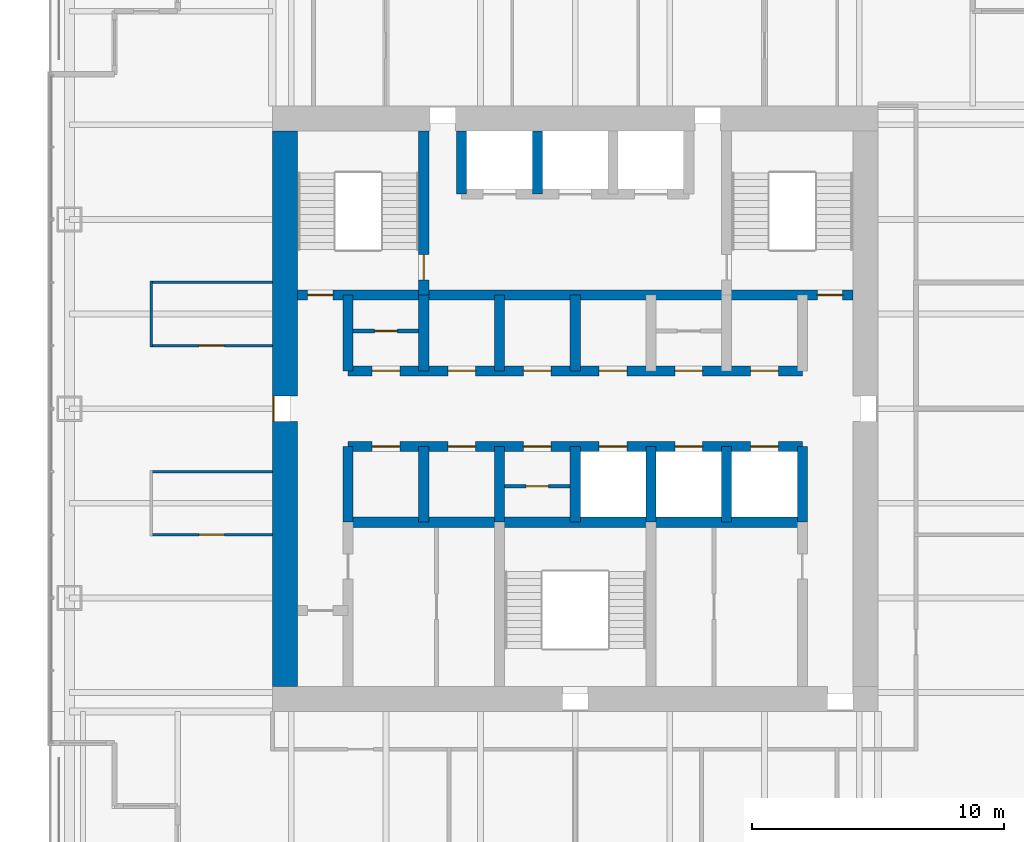
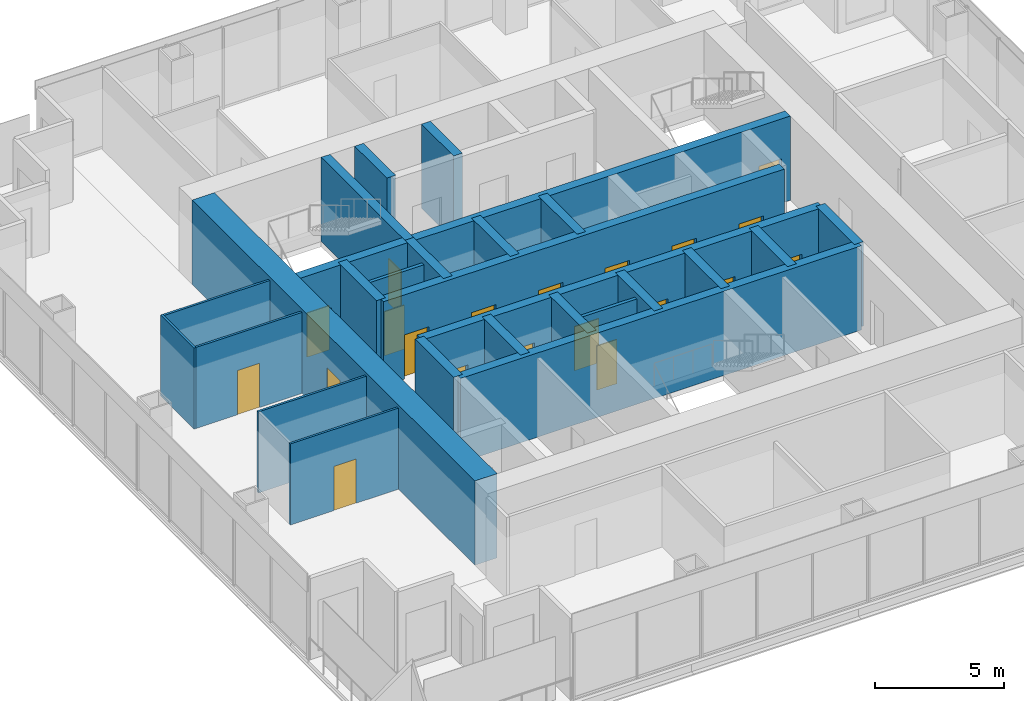
# One storey, part 10 of 14: 26 walls, 20 doors, 20 openings.
"""IFC4 building model written with IfcOpenShell, lengths in metres."""

from ifc_helpers import new_model, si_unit, direction, frame, frame_2d, origin, place, context, subcontext, project, spatial, rectangle, extrude, material, layer, layer_set, type_object, element, fill, save


model = new_model("IFC4")

# Units and contexts
model_context = context("Model", 3, precision=1e-05, world=origin(), true_north=direction((0.0, 1.0)))
body_context = subcontext(model_context, "Body", "Model", "MODEL_VIEW")
ifc_project = project(units=[si_unit("LENGTHUNIT", "METRE"), si_unit("AREAUNIT", "SQUARE_METRE"), si_unit("VOLUMEUNIT", "CUBIC_METRE"), si_unit("PLANEANGLEUNIT", "RADIAN"), si_unit("MASSUNIT", "GRAM", prefix="KILO")], contexts=[model_context])

# Site, building, storey
site_placement = place(None, origin())
site = spatial("IfcSite", under=ifc_project, at=site_placement, CompositionType="ELEMENT")
building_placement = place(site_placement, origin())
building = spatial("IfcBuilding", under=site, at=building_placement, Name="Tarangal Relay Tower", CompositionType="ELEMENT")
storey_placement = place(building_placement, frame((0.0, 0.0, 291.89990234375)))
storey = spatial("IfcBuildingStorey", under=building, at=storey_placement, Name="L64", CompositionType="ELEMENT", Elevation=291.89990234375)

# Wall, openings, doors
ifc_material_1 = material(Name="Concrete fc' 60 MPa", Category="concrete")
ifc_layer_1 = layer(ifc_material_1, 0.39990234375)
ifc_layer_set_1 = layer_set([ifc_layer_1], Name="Core inner wall 400")
wall_type_1 = type_object("IfcWallType", Name="Core inner wall 400", PredefinedType="SHEAR", material=ifc_layer_set_1)
wall_1_placement = place(storey_placement, frame((-11.0, 4.5, 0.0), z_axis=(0.0, 0.0, 1.0), x_axis=(1.0, 0.0, 0.0)))
wall_1 = element("IfcWall", 1, at=wall_1_placement, inside=storey, type_object=wall_type_1, Name="Core wall Y45 L64", PredefinedType="SHEAR", context=body_context, shape_type="SweptSolid", body=[
    extrude(rectangle(XDim=22.0, YDim=0.39990234375, at=frame_2d((11.0, 0.0))), origin(), (0.0, 0.0, 1.0), 4.0),
])
opening_1_placement = place(wall_1_placement, frame((0.39990234375, 0.0, 0.0)))
opening_1 = element("IfcOpeningElement", 2, at=opening_1_placement, cuts=wall_1, Name="Opening FD1", PredefinedType="OPENING", context=body_context, shape_type="SweptSolid", body=[
    extrude(rectangle(XDim=1.0, YDim=2.10009765625, at=frame_2d((0.5, 1.050048828125))), frame((0.0, 0.2099609375, 0.0), z_axis=(0.0, -1.0, 0.0), x_axis=(1.0, 0.0, 0.0)), (0.0, 0.0, 1.0), 0.419921875),
])
opening_2_placement = place(wall_1_placement, frame((20.60009765625, 0.0, 0.0)))
opening_2 = element("IfcOpeningElement", 3, at=opening_2_placement, cuts=wall_1, Name="Opening FD1", PredefinedType="OPENING", context=body_context, shape_type="SweptSolid", body=[
    extrude(rectangle(XDim=1.0, YDim=2.10009765625, at=frame_2d((0.5, 1.050048828125))), frame((0.0, 0.2099609375, 0.0), z_axis=(0.0, -1.0, 0.0), x_axis=(1.0, 0.0, 0.0)), (0.0, 0.0, 1.0), 0.419921875),
])
ifc_material_2 = material(Name="Steel door with hardwood frame", Category="steel")
door_type_1 = type_object("IfcDoorType", Name="Fire door 1000 x 2100", OperationType="SINGLE_SWING_LEFT", PredefinedType="DOOR", material=ifc_material_2)
door_1_placement = place(opening_1_placement, origin())
door_1 = element("IfcDoor", 4, at=door_1_placement, inside=storey, type_object=door_type_1, Name="Stair ST-A door from corridor L64", OperationType="SINGLE_SWING_LEFT", OverallHeight=2.10009765625, OverallWidth=1.0, PredefinedType="DOOR", context=body_context, shape_type="SweptSolid", body=[
    extrude(rectangle(XDim=1.0, YDim=2.10009765625, at=frame_2d((0.5, 1.050048828125))), frame((0.0, 0.02490234375, 0.0), z_axis=(0.0, -1.0, 0.0), x_axis=(1.0, 0.0, 0.0)), (0.0, 0.0, 1.0), 0.050048828125),
])
fill(opening_1, door_1)
door_2_placement = place(opening_2_placement, origin())
door_2 = element("IfcDoor", 5, at=door_2_placement, inside=storey, type_object=door_type_1, Name="Stair ST-B door from corridor L64", OperationType="SINGLE_SWING_LEFT", OverallHeight=2.10009765625, OverallWidth=1.0, PredefinedType="DOOR", context=body_context, shape_type="SweptSolid", body=[
    extrude(rectangle(XDim=1.0, YDim=2.10009765625, at=frame_2d((0.5, 1.050048828125))), frame((0.0, 0.02490234375, 0.0), z_axis=(0.0, -1.0, 0.0), x_axis=(1.0, 0.0, 0.0)), (0.0, 0.0, 1.0), 0.050048828125),
])
fill(opening_2, door_2)

wall_2_placement = place(storey_placement, frame((-9.0, 1.5, 0.0), z_axis=(0.0, 0.0, 1.0), x_axis=(1.0, 0.0, 0.0)))
wall_2 = element("IfcWall", 6, at=wall_2_placement, inside=storey, type_object=wall_type_1, Name="Core wall Y15 L64", PredefinedType="SHEAR", context=body_context, shape_type="SweptSolid", body=[
    extrude(rectangle(XDim=18.0, YDim=0.39990234375, at=frame_2d((9.0, 0.0))), origin(), (0.0, 0.0, 1.0), 4.0),
])
opening_3_placement = place(wall_2_placement, frame((0.949951171875, 0.0, 0.0)))
opening_3 = element("IfcOpeningElement", 7, at=opening_3_placement, cuts=wall_2, Name="Opening D4", PredefinedType="OPENING", context=body_context, shape_type="SweptSolid", body=[
    extrude(rectangle(XDim=1.10009765625, YDim=2.10009765625, at=frame_2d((0.550048828125, 1.050048828125))), frame((0.0, 0.2099609375, 0.0), z_axis=(0.0, -1.0, 0.0), x_axis=(1.0, 0.0, 0.0)), (0.0, 0.0, 1.0), 0.419921875),
])
opening_4_placement = place(wall_2_placement, frame((3.949951171875, 0.0, 0.0)))
opening_4 = element("IfcOpeningElement", 8, at=opening_4_placement, cuts=wall_2, Name="Opening D4", PredefinedType="OPENING", context=body_context, shape_type="SweptSolid", body=[
    extrude(rectangle(XDim=1.10009765625, YDim=2.10009765625, at=frame_2d((0.550048828125, 1.050048828125))), frame((0.0, 0.2099609375, 0.0), z_axis=(0.0, -1.0, 0.0), x_axis=(1.0, 0.0, 0.0)), (0.0, 0.0, 1.0), 0.419921875),
])
opening_5_placement = place(wall_2_placement, frame((6.949951171875, 0.0, 0.0)))
opening_5 = element("IfcOpeningElement", 9, at=opening_5_placement, cuts=wall_2, Name="Opening D4", PredefinedType="OPENING", context=body_context, shape_type="SweptSolid", body=[
    extrude(rectangle(XDim=1.10009765625, YDim=2.10009765625, at=frame_2d((0.550048828125, 1.050048828125))), frame((0.0, 0.2099609375, 0.0), z_axis=(0.0, -1.0, 0.0), x_axis=(1.0, 0.0, 0.0)), (0.0, 0.0, 1.0), 0.419921875),
])
opening_6_placement = place(wall_2_placement, frame((9.949951171875, 0.0, 0.0)))
opening_6 = element("IfcOpeningElement", 10, at=opening_6_placement, cuts=wall_2, Name="Opening D4", PredefinedType="OPENING", context=body_context, shape_type="SweptSolid", body=[
    extrude(rectangle(XDim=1.10009765625, YDim=2.10009765625, at=frame_2d((0.550048828125, 1.050048828125))), frame((0.0, 0.2099609375, 0.0), z_axis=(0.0, -1.0, 0.0), x_axis=(1.0, 0.0, 0.0)), (0.0, 0.0, 1.0), 0.419921875),
])
opening_7_placement = place(wall_2_placement, frame((12.949951171875, 0.0, 0.0)))
opening_7 = element("IfcOpeningElement", 11, at=opening_7_placement, cuts=wall_2, Name="Opening D4", PredefinedType="OPENING", context=body_context, shape_type="SweptSolid", body=[
    extrude(rectangle(XDim=1.10009765625, YDim=2.10009765625, at=frame_2d((0.550048828125, 1.050048828125))), frame((0.0, 0.2099609375, 0.0), z_axis=(0.0, -1.0, 0.0), x_axis=(1.0, 0.0, 0.0)), (0.0, 0.0, 1.0), 0.419921875),
])
opening_8_placement = place(wall_2_placement, frame((15.949951171875, 0.0, 0.0)))
opening_8 = element("IfcOpeningElement", 12, at=opening_8_placement, cuts=wall_2, Name="Opening D4", PredefinedType="OPENING", context=body_context, shape_type="SweptSolid", body=[
    extrude(rectangle(XDim=1.10009765625, YDim=2.10009765625, at=frame_2d((0.550048828125, 1.050048828125))), frame((0.0, 0.2099609375, 0.0), z_axis=(0.0, -1.0, 0.0), x_axis=(1.0, 0.0, 0.0)), (0.0, 0.0, 1.0), 0.419921875),
])
door_type_2 = type_object("IfcDoorType", Name="Core room door 1100 x 2100", OperationType="SINGLE_SWING_RIGHT", PredefinedType="DOOR", material=ifc_material_2)
door_3_placement = place(opening_3_placement, origin())
door_3 = element("IfcDoor", 13, at=door_3_placement, inside=storey, type_object=door_type_2, Name="Door D4 to staff pantry L64-D1", OperationType="SINGLE_SWING_RIGHT", OverallHeight=2.10009765625, OverallWidth=1.10009765625, PredefinedType="DOOR", context=body_context, shape_type="SweptSolid", body=[
    extrude(rectangle(XDim=1.10009765625, YDim=2.10009765625, at=frame_2d((0.550048828125, 1.050048828125))), frame((0.0, 0.02490234375, 0.0), z_axis=(0.0, -1.0, 0.0), x_axis=(1.0, 0.0, 0.0)), (0.0, 0.0, 1.0), 0.050048828125),
])
fill(opening_3, door_3)
door_4_placement = place(opening_4_placement, origin())
door_4 = element("IfcDoor", 14, at=door_4_placement, inside=storey, type_object=door_type_2, Name="Door D4 to it room L64-D2", OperationType="SINGLE_SWING_RIGHT", OverallHeight=2.10009765625, OverallWidth=1.10009765625, PredefinedType="DOOR", context=body_context, shape_type="SweptSolid", body=[
    extrude(rectangle(XDim=1.10009765625, YDim=2.10009765625, at=frame_2d((0.550048828125, 1.050048828125))), frame((0.0, 0.02490234375, 0.0), z_axis=(0.0, -1.0, 0.0), x_axis=(1.0, 0.0, 0.0)), (0.0, 0.0, 1.0), 0.050048828125),
])
fill(opening_4, door_4)
door_5_placement = place(opening_5_placement, origin())
door_5 = element("IfcDoor", 15, at=door_5_placement, inside=storey, type_object=door_type_2, Name="Door D4 to cleaner's store L64-D3", OperationType="SINGLE_SWING_RIGHT", OverallHeight=2.10009765625, OverallWidth=1.10009765625, PredefinedType="DOOR", context=body_context, shape_type="SweptSolid", body=[
    extrude(rectangle(XDim=1.10009765625, YDim=2.10009765625, at=frame_2d((0.550048828125, 1.050048828125))), frame((0.0, 0.02490234375, 0.0), z_axis=(0.0, -1.0, 0.0), x_axis=(1.0, 0.0, 0.0)), (0.0, 0.0, 1.0), 0.050048828125),
])
fill(opening_5, door_5)
door_6_placement = place(opening_6_placement, origin())
door_6 = element("IfcDoor", 16, at=door_6_placement, inside=storey, type_object=door_type_2, Name="Door D4 to staff wc L64-T1", OperationType="SINGLE_SWING_RIGHT", OverallHeight=2.10009765625, OverallWidth=1.10009765625, PredefinedType="DOOR", context=body_context, shape_type="SweptSolid", body=[
    extrude(rectangle(XDim=1.10009765625, YDim=2.10009765625, at=frame_2d((0.550048828125, 1.050048828125))), frame((0.0, 0.02490234375, 0.0), z_axis=(0.0, -1.0, 0.0), x_axis=(1.0, 0.0, 0.0)), (0.0, 0.0, 1.0), 0.050048828125),
])
fill(opening_6, door_6)
door_7_placement = place(opening_7_placement, origin())
door_7 = element("IfcDoor", 17, at=door_7_placement, inside=storey, type_object=door_type_2, Name="Door D4 to staff pantry L64-T2", OperationType="SINGLE_SWING_RIGHT", OverallHeight=2.10009765625, OverallWidth=1.10009765625, PredefinedType="DOOR", context=body_context, shape_type="SweptSolid", body=[
    extrude(rectangle(XDim=1.10009765625, YDim=2.10009765625, at=frame_2d((0.550048828125, 1.050048828125))), frame((0.0, 0.02490234375, 0.0), z_axis=(0.0, -1.0, 0.0), x_axis=(1.0, 0.0, 0.0)), (0.0, 0.0, 1.0), 0.050048828125),
])
fill(opening_7, door_7)
door_8_placement = place(opening_8_placement, origin())
door_8 = element("IfcDoor", 18, at=door_8_placement, inside=storey, type_object=door_type_2, Name="Door D4 to it room L64-T3", OperationType="SINGLE_SWING_RIGHT", OverallHeight=2.10009765625, OverallWidth=1.10009765625, PredefinedType="DOOR", context=body_context, shape_type="SweptSolid", body=[
    extrude(rectangle(XDim=1.10009765625, YDim=2.10009765625, at=frame_2d((0.550048828125, 1.050048828125))), frame((0.0, 0.02490234375, 0.0), z_axis=(0.0, -1.0, 0.0), x_axis=(1.0, 0.0, 0.0)), (0.0, 0.0, 1.0), 0.050048828125),
])
fill(opening_8, door_8)

wall_3_placement = place(storey_placement, frame((-9.0, -1.5, 0.0), z_axis=(0.0, 0.0, 1.0), x_axis=(1.0, 0.0, 0.0)))
wall_3 = element("IfcWall", 19, at=wall_3_placement, inside=storey, type_object=wall_type_1, Name="Core wall YM15 L64", PredefinedType="SHEAR", context=body_context, shape_type="SweptSolid", body=[
    extrude(rectangle(XDim=18.0, YDim=0.39990234375, at=frame_2d((9.0, 0.0))), origin(), (0.0, 0.0, 1.0), 4.0),
])
opening_9_placement = place(wall_3_placement, frame((9.949951171875, 0.0, 0.0)))
opening_9 = element("IfcOpeningElement", 20, at=opening_9_placement, cuts=wall_3, Name="Opening LD1", PredefinedType="OPENING", context=body_context, shape_type="SweptSolid", body=[
    extrude(rectangle(XDim=1.10009765625, YDim=2.10009765625, at=frame_2d((0.550048828125, 1.050048828125))), frame((0.0, 0.2099609375, 0.0), z_axis=(0.0, -1.0, 0.0), x_axis=(1.0, 0.0, 0.0)), (0.0, 0.0, 1.0), 0.419921875),
])
opening_10_placement = place(wall_3_placement, frame((12.949951171875, 0.0, 0.0)))
opening_10 = element("IfcOpeningElement", 21, at=opening_10_placement, cuts=wall_3, Name="Opening LD1", PredefinedType="OPENING", context=body_context, shape_type="SweptSolid", body=[
    extrude(rectangle(XDim=1.10009765625, YDim=2.10009765625, at=frame_2d((0.550048828125, 1.050048828125))), frame((0.0, 0.2099609375, 0.0), z_axis=(0.0, -1.0, 0.0), x_axis=(1.0, 0.0, 0.0)), (0.0, 0.0, 1.0), 0.419921875),
])
opening_11_placement = place(wall_3_placement, frame((15.949951171875, 0.0, 0.0)))
opening_11 = element("IfcOpeningElement", 22, at=opening_11_placement, cuts=wall_3, Name="Opening LD1", PredefinedType="OPENING", context=body_context, shape_type="SweptSolid", body=[
    extrude(rectangle(XDim=1.10009765625, YDim=2.10009765625, at=frame_2d((0.550048828125, 1.050048828125))), frame((0.0, 0.2099609375, 0.0), z_axis=(0.0, -1.0, 0.0), x_axis=(1.0, 0.0, 0.0)), (0.0, 0.0, 1.0), 0.419921875),
])
opening_12_placement = place(wall_3_placement, frame((0.949951171875, 0.0, 0.0)))
opening_12 = element("IfcOpeningElement", 23, at=opening_12_placement, cuts=wall_3, Name="Opening D4", PredefinedType="OPENING", context=body_context, shape_type="SweptSolid", body=[
    extrude(rectangle(XDim=1.10009765625, YDim=2.10009765625, at=frame_2d((0.550048828125, 1.050048828125))), frame((0.0, 0.2099609375, 0.0), z_axis=(0.0, -1.0, 0.0), x_axis=(1.0, 0.0, 0.0)), (0.0, 0.0, 1.0), 0.419921875),
])
opening_13_placement = place(wall_3_placement, frame((3.949951171875, 0.0, 0.0)))
opening_13 = element("IfcOpeningElement", 24, at=opening_13_placement, cuts=wall_3, Name="Opening D4", PredefinedType="OPENING", context=body_context, shape_type="SweptSolid", body=[
    extrude(rectangle(XDim=1.10009765625, YDim=2.10009765625, at=frame_2d((0.550048828125, 1.050048828125))), frame((0.0, 0.2099609375, 0.0), z_axis=(0.0, -1.0, 0.0), x_axis=(1.0, 0.0, 0.0)), (0.0, 0.0, 1.0), 0.419921875),
])
opening_14_placement = place(wall_3_placement, frame((6.949951171875, 0.0, 0.0)))
opening_14 = element("IfcOpeningElement", 25, at=opening_14_placement, cuts=wall_3, Name="Opening D4", PredefinedType="OPENING", context=body_context, shape_type="SweptSolid", body=[
    extrude(rectangle(XDim=1.10009765625, YDim=2.10009765625, at=frame_2d((0.550048828125, 1.050048828125))), frame((0.0, 0.2099609375, 0.0), z_axis=(0.0, -1.0, 0.0), x_axis=(1.0, 0.0, 0.0)), (0.0, 0.0, 1.0), 0.419921875),
])
door_9_placement = place(opening_12_placement, origin())
door_9 = element("IfcDoor", 26, at=door_9_placement, inside=storey, type_object=door_type_2, Name="Door D4 to cleaner's store L64-S1", OperationType="SINGLE_SWING_RIGHT", OverallHeight=2.10009765625, OverallWidth=1.10009765625, PredefinedType="DOOR", context=body_context, shape_type="SweptSolid", body=[
    extrude(rectangle(XDim=1.10009765625, YDim=2.10009765625, at=frame_2d((0.550048828125, 1.050048828125))), frame((0.0, 0.02490234375, 0.0), z_axis=(0.0, -1.0, 0.0), x_axis=(1.0, 0.0, 0.0)), (0.0, 0.0, 1.0), 0.050048828125),
])
fill(opening_12, door_9)
door_10_placement = place(opening_13_placement, origin())
door_10 = element("IfcDoor", 27, at=door_10_placement, inside=storey, type_object=door_type_2, Name="Door D4 to staff wc L64-S2", OperationType="SINGLE_SWING_RIGHT", OverallHeight=2.10009765625, OverallWidth=1.10009765625, PredefinedType="DOOR", context=body_context, shape_type="SweptSolid", body=[
    extrude(rectangle(XDim=1.10009765625, YDim=2.10009765625, at=frame_2d((0.550048828125, 1.050048828125))), frame((0.0, 0.02490234375, 0.0), z_axis=(0.0, -1.0, 0.0), x_axis=(1.0, 0.0, 0.0)), (0.0, 0.0, 1.0), 0.050048828125),
])
fill(opening_13, door_10)
door_11_placement = place(opening_14_placement, origin())
door_11 = element("IfcDoor", 28, at=door_11_placement, inside=storey, type_object=door_type_2, Name="Door D4 to staff pantry L64-S3", OperationType="SINGLE_SWING_RIGHT", OverallHeight=2.10009765625, OverallWidth=1.10009765625, PredefinedType="DOOR", context=body_context, shape_type="SweptSolid", body=[
    extrude(rectangle(XDim=1.10009765625, YDim=2.10009765625, at=frame_2d((0.550048828125, 1.050048828125))), frame((0.0, 0.02490234375, 0.0), z_axis=(0.0, -1.0, 0.0), x_axis=(1.0, 0.0, 0.0)), (0.0, 0.0, 1.0), 0.050048828125),
])
fill(opening_14, door_11)
door_type_3 = type_object("IfcDoorType", Name="Lift landing door 1100 x 2100", OperationType="SLIDING_TO_LEFT", PredefinedType="DOOR", material=ifc_material_2)
door_12_placement = place(opening_9_placement, origin())
door_12 = element("IfcDoor", 29, at=door_12_placement, inside=storey, type_object=door_type_3, Name="Lift OH1 landing door L64", OperationType="SLIDING_TO_LEFT", OverallHeight=2.10009765625, OverallWidth=1.10009765625, PredefinedType="DOOR", context=body_context, shape_type="SweptSolid", body=[
    extrude(rectangle(XDim=1.10009765625, YDim=2.10009765625, at=frame_2d((0.550048828125, 1.050048828125))), frame((0.0, 0.02490234375, 0.0), z_axis=(0.0, -1.0, 0.0), x_axis=(1.0, 0.0, 0.0)), (0.0, 0.0, 1.0), 0.050048828125),
])
fill(opening_9, door_12)
door_13_placement = place(opening_10_placement, origin())
door_13 = element("IfcDoor", 30, at=door_13_placement, inside=storey, type_object=door_type_3, Name="Lift OH2 landing door L64", OperationType="SLIDING_TO_LEFT", OverallHeight=2.10009765625, OverallWidth=1.10009765625, PredefinedType="DOOR", context=body_context, shape_type="SweptSolid", body=[
    extrude(rectangle(XDim=1.10009765625, YDim=2.10009765625, at=frame_2d((0.550048828125, 1.050048828125))), frame((0.0, 0.02490234375, 0.0), z_axis=(0.0, -1.0, 0.0), x_axis=(1.0, 0.0, 0.0)), (0.0, 0.0, 1.0), 0.050048828125),
])
fill(opening_10, door_13)
door_14_placement = place(opening_11_placement, origin())
door_14 = element("IfcDoor", 31, at=door_14_placement, inside=storey, type_object=door_type_3, Name="Lift OH3 landing door L64", OperationType="SLIDING_TO_LEFT", OverallHeight=2.10009765625, OverallWidth=1.10009765625, PredefinedType="DOOR", context=body_context, shape_type="SweptSolid", body=[
    extrude(rectangle(XDim=1.10009765625, YDim=2.10009765625, at=frame_2d((0.550048828125, 1.050048828125))), frame((0.0, 0.02490234375, 0.0), z_axis=(0.0, -1.0, 0.0), x_axis=(1.0, 0.0, 0.0)), (0.0, 0.0, 1.0), 0.050048828125),
])
fill(opening_11, door_14)

# Walls
wall_4_placement = place(storey_placement, frame((-9.0, -4.5, 0.0), z_axis=(0.0, 0.0, 1.0), x_axis=(1.0, 0.0, 0.0)))
element("IfcWall", 32, at=wall_4_placement, inside=storey, type_object=wall_type_1, Name="Core wall YM45 L64", PredefinedType="SHEAR", context=body_context, shape_type="SweptSolid", body=[
    extrude(rectangle(XDim=18.0, YDim=0.39990234375, at=frame_2d((9.0, 0.0))), origin(), (0.0, 0.0, 1.0), 4.0),
])
for number, where, z_axis, x_axis, name in (
    (33, (-9.0, 1.5, 0.0), (0.0, 0.0, 1.0), (0.0, 1.0, 0.0), "Core wall XM9N L64"),
    (34, (-9.0, -4.5, 0.0), (0.0, 0.0, 1.0), (0.0, 1.0, 0.0), "Core wall XM9S L64"),
    (35, (9.0, -4.5, 0.0), (0.0, 0.0, 1.0), (0.0, 1.0, 0.0), "Core wall X9S L64"),
    (36, (-6.0, 1.5, 0.0), (0.0, 0.0, 1.0), (0.0, 1.0, 0.0), "Core wall XM6N L64"),
    (37, (-3.0, 1.5, 0.0), (0.0, 0.0, 1.0), (0.0, 1.0, 0.0), "Core wall XM3N L64"),
    (38, (0.0, 1.5, 0.0), (0.0, 0.0, 1.0), (0.0, 1.0, 0.0), "Core wall X0N L64"),
    (39, (-6.0, -4.5, 0.0), (0.0, 0.0, 1.0), (0.0, 1.0, 0.0), "Core wall XM6S L64"),
    (40, (-3.0, -4.5, 0.0), (0.0, 0.0, 1.0), (0.0, 1.0, 0.0), "Core wall XM3S L64"),
    (41, (0.0, -4.5, 0.0), (0.0, 0.0, 1.0), (0.0, 1.0, 0.0), "Core wall X0S L64"),
    (42, (3.0, -4.5, 0.0), (0.0, 0.0, 1.0), (0.0, 1.0, 0.0), "Core wall X3S L64"),
    (43, (6.0, -4.5, 0.0), (0.0, 0.0, 1.0), (0.0, 1.0, 0.0), "Core wall X6S L64"),
):
    element("IfcWall", number, at=place(storey_placement, frame(where, z_axis=z_axis, x_axis=x_axis)), inside=storey, type_object=wall_type_1, Name=name, PredefinedType="SHEAR", context=body_context, shape_type="SweptSolid", body=[
        extrude(rectangle(XDim=3.0, YDim=0.39990234375, at=frame_2d((1.5, 0.0))), origin(), (0.0, 0.0, 1.0), 4.0),
    ])

# Wall, opening, door
wall_5_placement = place(storey_placement, frame((-6.0, 4.5, 0.0), z_axis=(0.0, 0.0, 1.0), x_axis=(0.0, 1.0, 0.0)))
wall_5 = element("IfcWall", 44, at=wall_5_placement, inside=storey, type_object=wall_type_1, Name="Core wall XM6 L64", PredefinedType="SHEAR", context=body_context, shape_type="SweptSolid", body=[
    extrude(rectangle(XDim=6.5, YDim=0.39990234375, at=frame_2d((3.25, 0.0))), origin(), (0.0, 0.0, 1.0), 4.0),
])
opening_15_placement = place(wall_5_placement, frame((0.60009765625, 0.0, 0.0)))
opening_15 = element("IfcOpeningElement", 45, at=opening_15_placement, cuts=wall_5, Name="Opening FD1", PredefinedType="OPENING", context=body_context, shape_type="SweptSolid", body=[
    extrude(rectangle(XDim=1.0, YDim=2.10009765625, at=frame_2d((0.5, 1.050048828125))), frame((0.0, 0.2099609375, 0.0), z_axis=(0.0, -1.0, 0.0), x_axis=(1.0, 0.0, 0.0)), (0.0, 0.0, 1.0), 0.419921875),
])
door_15_placement = place(opening_15_placement, origin())
door_15 = element("IfcDoor", 46, at=door_15_placement, inside=storey, type_object=door_type_1, Name="Stair ST-A door from fire-fighting lobby L64", OperationType="SINGLE_SWING_LEFT", OverallHeight=2.10009765625, OverallWidth=1.0, PredefinedType="DOOR", context=body_context, shape_type="SweptSolid", body=[
    extrude(rectangle(XDim=1.0, YDim=2.10009765625, at=frame_2d((0.5, 1.050048828125))), frame((0.0, 0.02490234375, 0.0), z_axis=(0.0, -1.0, 0.0), x_axis=(1.0, 0.0, 0.0)), (0.0, 0.0, 1.0), 0.050048828125),
])
fill(opening_15, door_15)

# Walls
for number, where, z_axis, x_axis, name in (
    (47, (-4.5, 8.5, 0.0), (0.0, 0.0, 1.0), (0.0, 1.0, 0.0), "Core wall XM45 L64"),
    (48, (-1.5, 8.5, 0.0), (0.0, 0.0, 1.0), (0.0, 1.0, 0.0), "Core wall XM15 L64"),
):
    element("IfcWall", number, at=place(storey_placement, frame(where, z_axis=z_axis, x_axis=x_axis)), inside=storey, type_object=wall_type_1, Name=name, PredefinedType="SHEAR", context=body_context, shape_type="SweptSolid", body=[
        extrude(rectangle(XDim=2.5, YDim=0.39990234375, at=frame_2d((1.25, 0.0))), origin(), (0.0, 0.0, 1.0), 4.0),
    ])

# Wall, opening, door
ifc_layer_2 = layer(ifc_material_1, 1.0)
ifc_layer_set_2 = layer_set([ifc_layer_2], Name="Core wall 1000")
wall_type_2 = type_object("IfcWallType", Name="Core wall 1000", PredefinedType="SHEAR", material=ifc_layer_set_2)
wall_6_placement = place(storey_placement, frame((-11.5, -11.0, 0.0), z_axis=(0.0, 0.0, 1.0), x_axis=(0.0, 1.0, 0.0)))
wall_6 = element("IfcWall", 49, at=wall_6_placement, inside=storey, type_object=wall_type_2, Name="Core wall W L64", PredefinedType="SHEAR", context=body_context, shape_type="SweptSolid", body=[
    extrude(rectangle(XDim=22.0, YDim=1.0, at=frame_2d((11.0, 0.0))), origin(), (0.0, 0.0, 1.0), 4.0),
])
opening_16_placement = place(wall_6_placement, frame((10.5, 0.0, 0.0)))
opening_16 = element("IfcOpeningElement", 50, at=opening_16_placement, cuts=wall_6, Name="Opening FD3", PredefinedType="OPENING", context=body_context, shape_type="SweptSolid", body=[
    extrude(rectangle(XDim=1.0, YDim=2.39990234375, at=frame_2d((0.5, 1.199951171875))), frame((0.0, 0.510009765625, 0.0), z_axis=(0.0, -1.0, 0.0), x_axis=(1.0, 0.0, 0.0)), (0.0, 0.0, 1.0), 1.02001953125),
])
door_type_4 = type_object("IfcDoorType", Name="Fire door 1000 x 2400 core entry", OperationType="SINGLE_SWING_RIGHT", PredefinedType="DOOR", material=ifc_material_2)
door_16_placement = place(opening_16_placement, origin())
door_16 = element("IfcDoor", 51, at=door_16_placement, inside=storey, type_object=door_type_4, Name="Core entry door west L64", OperationType="SINGLE_SWING_RIGHT", OverallHeight=2.39990234375, OverallWidth=1.0, PredefinedType="DOOR", context=body_context, shape_type="SweptSolid", body=[
    extrude(rectangle(XDim=1.0, YDim=2.39990234375, at=frame_2d((0.5, 1.199951171875))), frame((0.0, 0.48486328125, 0.0), z_axis=(0.0, -1.0, 0.0), x_axis=(1.0, 0.0, 0.0)), (0.0, 0.0, 1.0), 0.050048828125),
])
fill(opening_16, door_16)

ifc_material_3 = material(Name="Double glazed aluminium framed partition", Category="aluminium")
ifc_layer_3 = layer(ifc_material_3, 0.10009765625)
ifc_layer_set_3 = layer_set([ifc_layer_3], Name="Glazed partition 100")
wall_type_3 = type_object("IfcWallType", Name="Glazed partition 100", PredefinedType="PARTITIONING", material=ifc_layer_set_3)
wall_7_placement = place(storey_placement, frame((-16.85009765625, -5.0, 0.0), z_axis=(0.0, 0.0, 1.0), x_axis=(1.0, 0.0, 0.0)))
wall_7 = element("IfcWall", 52, at=wall_7_placement, inside=storey, type_object=wall_type_3, Name="Partition PT3 L64", PredefinedType="PARTITIONING", context=body_context, shape_type="SweptSolid", body=[
    extrude(rectangle(XDim=4.85009765625, YDim=0.10009765625, at=frame_2d((2.425048828125, 0.0))), origin(), (0.0, 0.0, 1.0), 3.85009765625),
])
opening_17_placement = place(wall_7_placement, frame((1.949951171875, 0.0, 0.0)))
opening_17 = element("IfcOpeningElement", 53, at=opening_17_placement, cuts=wall_7, Name="Opening D3", PredefinedType="OPENING", context=body_context, shape_type="SweptSolid", body=[
    extrude(rectangle(XDim=1.0, YDim=2.10009765625, at=frame_2d((0.5, 1.050048828125))), frame((0.0, 0.06005859375, 0.0), z_axis=(0.0, -1.0, 0.0), x_axis=(1.0, 0.0, 0.0)), (0.0, 0.0, 1.0), 0.1201171875),
])
ifc_material_4 = material(Name="Frameless glass door", Category="glass")
door_type_5 = type_object("IfcDoorType", Name="Glazed door 1000 x 2100", OperationType="SINGLE_SWING_LEFT", PredefinedType="DOOR", material=ifc_material_4)
door_17_placement = place(opening_17_placement, origin())
door_17 = element("IfcDoor", 54, at=door_17_placement, inside=storey, type_object=door_type_5, Name="Door D3 to project room L64-09", OperationType="SINGLE_SWING_LEFT", OverallHeight=2.10009765625, OverallWidth=1.0, PredefinedType="DOOR", context=body_context, shape_type="SweptSolid", body=[
    extrude(rectangle(XDim=1.0, YDim=2.10009765625, at=frame_2d((0.5, 1.050048828125))), frame((0.0, 0.02490234375, 0.0), z_axis=(0.0, -1.0, 0.0), x_axis=(1.0, 0.0, 0.0)), (0.0, 0.0, 1.0), 0.050048828125),
])
fill(opening_17, door_17)

# Wall
wall_8_placement = place(storey_placement, frame((-16.85009765625, -2.5, 0.0), z_axis=(0.0, 0.0, 1.0), x_axis=(1.0, 0.0, 0.0)))
element("IfcWall", 55, at=wall_8_placement, inside=storey, type_object=wall_type_3, Name="Partition PT3 L64", PredefinedType="PARTITIONING", context=body_context, shape_type="SweptSolid", body=[
    extrude(rectangle(XDim=4.85009765625, YDim=0.10009765625, at=frame_2d((2.425048828125, 0.0))), origin(), (0.0, 0.0, 1.0), 3.85009765625),
])

# Wall, opening, door
wall_9_placement = place(storey_placement, frame((-16.85009765625, 2.5, 0.0), z_axis=(0.0, 0.0, 1.0), x_axis=(1.0, 0.0, 0.0)))
wall_9 = element("IfcWall", 56, at=wall_9_placement, inside=storey, type_object=wall_type_3, Name="Partition PT3 L64", PredefinedType="PARTITIONING", context=body_context, shape_type="SweptSolid", body=[
    extrude(rectangle(XDim=4.85009765625, YDim=0.10009765625, at=frame_2d((2.425048828125, 0.0))), origin(), (0.0, 0.0, 1.0), 3.85009765625),
])
opening_18_placement = place(wall_9_placement, frame((1.949951171875, 0.0, 0.0)))
opening_18 = element("IfcOpeningElement", 57, at=opening_18_placement, cuts=wall_9, Name="Opening D3", PredefinedType="OPENING", context=body_context, shape_type="SweptSolid", body=[
    extrude(rectangle(XDim=1.0, YDim=2.10009765625, at=frame_2d((0.5, 1.050048828125))), frame((0.0, 0.06005859375, 0.0), z_axis=(0.0, -1.0, 0.0), x_axis=(1.0, 0.0, 0.0)), (0.0, 0.0, 1.0), 0.1201171875),
])
door_18_placement = place(opening_18_placement, origin())
door_18 = element("IfcDoor", 58, at=door_18_placement, inside=storey, type_object=door_type_5, Name="Door D3 to meeting room L64-10", OperationType="SINGLE_SWING_LEFT", OverallHeight=2.10009765625, OverallWidth=1.0, PredefinedType="DOOR", context=body_context, shape_type="SweptSolid", body=[
    extrude(rectangle(XDim=1.0, YDim=2.10009765625, at=frame_2d((0.5, 1.050048828125))), frame((0.0, 0.02490234375, 0.0), z_axis=(0.0, -1.0, 0.0), x_axis=(1.0, 0.0, 0.0)), (0.0, 0.0, 1.0), 0.050048828125),
])
fill(opening_18, door_18)

# Walls
wall_10_placement = place(storey_placement, frame((-16.85009765625, 5.0, 0.0), z_axis=(0.0, 0.0, 1.0), x_axis=(1.0, 0.0, 0.0)))
element("IfcWall", 59, at=wall_10_placement, inside=storey, type_object=wall_type_3, Name="Partition PT3 L64", PredefinedType="PARTITIONING", context=body_context, shape_type="SweptSolid", body=[
    extrude(rectangle(XDim=4.85009765625, YDim=0.10009765625, at=frame_2d((2.425048828125, 0.0))), origin(), (0.0, 0.0, 1.0), 3.85009765625),
])
wall_11_placement = place(storey_placement, frame((-16.800048828125, 2.449951171875, 0.0), z_axis=(0.0, 0.0, 1.0), x_axis=(0.0, 1.0, 0.0)))
element("IfcWall", 60, at=wall_11_placement, inside=storey, type_object=wall_type_3, Name="Partition PT3 L64", PredefinedType="PARTITIONING", context=body_context, shape_type="SweptSolid", body=[
    extrude(rectangle(XDim=2.60009765625, YDim=0.10009765625, at=frame_2d((1.300048828125, 0.0))), origin(), (0.0, 0.0, 1.0), 3.85009765625),
])

# Wall, opening, door
ifc_material_5 = material(Name="Gypsum board on steel studs", Category="steel")
ifc_layer_4 = layer(ifc_material_5, 0.14990234375)
ifc_layer_set_4 = layer_set([ifc_layer_4], Name="Partition 150")
wall_type_4 = type_object("IfcWallType", Name="Partition 150", PredefinedType="PARTITIONING", material=ifc_layer_set_4)
wall_12_placement = place(storey_placement, frame((-8.800048828125, 3.074951171875, 0.0), z_axis=(0.0, 0.0, 1.0), x_axis=(1.0, 0.0, 0.0)))
wall_12 = element("IfcWall", 61, at=wall_12_placement, inside=storey, type_object=wall_type_4, Name="Partition PT1 L64", PredefinedType="PARTITIONING", context=body_context, shape_type="SweptSolid", body=[
    extrude(rectangle(XDim=2.60009765625, YDim=0.14990234375, at=frame_2d((1.300048828125, 0.0))), origin(), (0.0, 0.0, 1.0), 3.75),
])
opening_19_placement = place(wall_12_placement, frame((0.85009765625, 0.0, 0.0)))
opening_19 = element("IfcOpeningElement", 62, at=opening_19_placement, cuts=wall_12, Name="Opening D5", PredefinedType="OPENING", context=body_context, shape_type="SweptSolid", body=[
    extrude(rectangle(XDim=0.89990234375, YDim=2.10009765625, at=frame_2d((0.449951171875, 1.050048828125))), frame((0.0, 0.0849609375, 0.0), z_axis=(0.0, -1.0, 0.0), x_axis=(1.0, 0.0, 0.0)), (0.0, 0.0, 1.0), 0.169921875),
])
ifc_material_6 = material(Name="Hardwood door", Category="wood")
door_type_6 = type_object("IfcDoorType", Name="Cupboard door 900 x 2100", OperationType="SINGLE_SWING_LEFT", PredefinedType="DOOR", material=ifc_material_6)
door_19_placement = place(opening_19_placement, origin())
door_19 = element("IfcDoor", 63, at=door_19_placement, inside=storey, type_object=door_type_6, Name="Door D5 to pantry cupboard L64-D1B", OperationType="SINGLE_SWING_LEFT", OverallHeight=2.10009765625, OverallWidth=0.89990234375, PredefinedType="DOOR", context=body_context, shape_type="SweptSolid", body=[
    extrude(rectangle(XDim=0.89990234375, YDim=2.10009765625, at=frame_2d((0.449951171875, 1.050048828125))), frame((0.0, 0.02490234375, 0.0), z_axis=(0.0, -1.0, 0.0), x_axis=(1.0, 0.0, 0.0)), (0.0, 0.0, 1.0), 0.050048828125),
])
fill(opening_19, door_19)

wall_13_placement = place(storey_placement, frame((-2.800048828125, -3.074951171875, 0.0), z_axis=(0.0, 0.0, 1.0), x_axis=(1.0, 0.0, 0.0)))
wall_13 = element("IfcWall", 64, at=wall_13_placement, inside=storey, type_object=wall_type_4, Name="Partition PT1 L64", PredefinedType="PARTITIONING", context=body_context, shape_type="SweptSolid", body=[
    extrude(rectangle(XDim=2.60009765625, YDim=0.14990234375, at=frame_2d((1.300048828125, 0.0))), origin(), (0.0, 0.0, 1.0), 3.75),
])
opening_20_placement = place(wall_13_placement, frame((0.85009765625, 0.0, 0.0)))
opening_20 = element("IfcOpeningElement", 65, at=opening_20_placement, cuts=wall_13, Name="Opening D5", PredefinedType="OPENING", context=body_context, shape_type="SweptSolid", body=[
    extrude(rectangle(XDim=0.89990234375, YDim=2.10009765625, at=frame_2d((0.449951171875, 1.050048828125))), frame((0.0, 0.0849609375, 0.0), z_axis=(0.0, -1.0, 0.0), x_axis=(1.0, 0.0, 0.0)), (0.0, 0.0, 1.0), 0.169921875),
])
door_20_placement = place(opening_20_placement, origin())
door_20 = element("IfcDoor", 66, at=door_20_placement, inside=storey, type_object=door_type_6, Name="Door D5 to pantry cupboard L64-S3B", OperationType="SINGLE_SWING_LEFT", OverallHeight=2.10009765625, OverallWidth=0.89990234375, PredefinedType="DOOR", context=body_context, shape_type="SweptSolid", body=[
    extrude(rectangle(XDim=0.89990234375, YDim=2.10009765625, at=frame_2d((0.449951171875, 1.050048828125))), frame((0.0, 0.02490234375, 0.0), z_axis=(0.0, -1.0, 0.0), x_axis=(1.0, 0.0, 0.0)), (0.0, 0.0, 1.0), 0.050048828125),
])
fill(opening_20, door_20)

save(model, "model.ifc")
